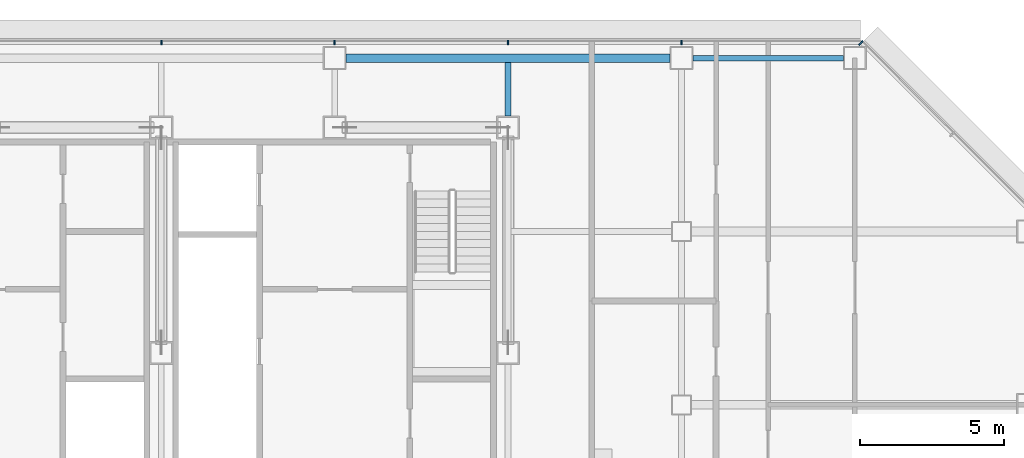
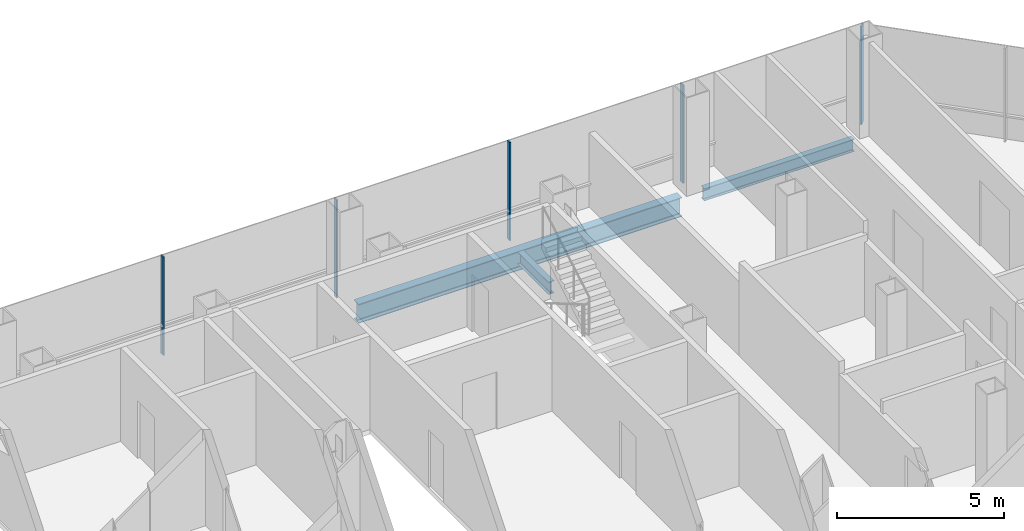
# One storey, part 14 of 25: 5 members, 3 beams, 2 elements without a shape of their own.
"""IFC4 building model written with IfcOpenShell, lengths in metres."""

from ifc_helpers import new_model, si_unit, direction, frame, origin, origin_2d, place, context, subcontext, project, spatial, rectangle, i_section, extrude, material, material_profile, profile_set, type_object, element, aggregate, save


model = new_model("IFC4")

# Units and contexts
model_context = context("Model", 3, precision=1e-05, world=origin(), true_north=direction((0.0, 1.0)))
body_context = subcontext(model_context, "Body", "Model", "MODEL_VIEW")
ifc_project = project(units=[si_unit("LENGTHUNIT", "METRE"), si_unit("AREAUNIT", "SQUARE_METRE"), si_unit("VOLUMEUNIT", "CUBIC_METRE"), si_unit("PLANEANGLEUNIT", "RADIAN"), si_unit("MASSUNIT", "GRAM", prefix="KILO")], contexts=[model_context])

# Site, building, storey
site_placement = place(None, origin())
site = spatial("IfcSite", under=ifc_project, at=site_placement, CompositionType="ELEMENT")
building_placement = place(site_placement, origin())
building = spatial("IfcBuilding", under=site, at=building_placement, Name="Sorahane Residences", CompositionType="ELEMENT")
storey_placement = place(building_placement, frame((0.0, 0.0, 123.199951171875)))
storey = spatial("IfcBuildingStorey", under=building, at=storey_placement, Name="L27", CompositionType="ELEMENT", Elevation=123.199951171875)

# Curtain wall, members
ifc_material_1 = material(Name="Dark low-e glass and black anodised aluminium", Category="aluminium")
curtain_wall_type_1 = type_object("IfcCurtainWallType", Name="Curtain wall CW-1 Typical unitised wall", PredefinedType="NOTDEFINED", material=ifc_material_1)
curtain_wall_1_placement = place(storey_placement, origin())
curtain_wall_1 = element("IfcCurtainWall", 1, at=curtain_wall_1_placement, inside=storey, type_object=curtain_wall_type_1, Name="CW-1 curtain wall L27 N1", PredefinedType="NOTDEFINED")
ifc_material_2 = material(Name="Black anodised aluminium", Category="aluminium")
ifc_material_profile_1 = material_profile(ifc_material_2, rectangle(XDim=0.159912109375, YDim=0.050048828125, at=origin_2d()), Name="Curtain wall mullion CW-1 black anodised aluminium 50x160")
ifc_profile_set_1 = profile_set([ifc_material_profile_1], Name="Black anodised aluminium")
member_type_1 = type_object("IfcMemberType", Name="Curtain wall mullion CW-1 black anodised aluminium 50x160", PredefinedType="MULLION", material=ifc_profile_set_1)
member_1_placement = place(storey_placement, frame((48.0, 48.5400390625, -0.179931640625), z_axis=(0.0, 0.0, 1.0), x_axis=(0.0, 1.0, 0.0)))
member_1 = element("IfcMember", 2, at=member_1_placement, type_object=member_type_1, Name="CW-1 mullion L27 N1.2", PredefinedType="MULLION", context=body_context, shape_type="SweptSolid", body=[
    extrude(rectangle(XDim=0.159912109375, YDim=0.050048828125, at=origin_2d()), origin(), (0.0, 0.0, 1.0), 3.60009765625),
])
member_2_placement = place(storey_placement, frame((42.0, 48.5400390625, -0.179931640625), z_axis=(0.0, 0.0, 1.0), x_axis=(0.0, 1.0, 0.0)))
member_2 = element("IfcMember", 3, at=member_2_placement, type_object=member_type_1, Name="CW-1 mullion L27 N1.3", PredefinedType="MULLION", context=body_context, shape_type="SweptSolid", body=[
    extrude(rectangle(XDim=0.159912109375, YDim=0.050048828125, at=origin_2d()), origin(), (0.0, 0.0, 1.0), 3.60009765625),
])
member_3_placement = place(storey_placement, frame((36.0, 48.5400390625, -0.179931640625), z_axis=(0.0, 0.0, 1.0), x_axis=(0.0, 1.0, 0.0)))
member_3 = element("IfcMember", 4, at=member_3_placement, type_object=member_type_1, Name="CW-1 mullion L27 N1.4", PredefinedType="MULLION", context=body_context, shape_type="SweptSolid", body=[
    extrude(rectangle(XDim=0.159912109375, YDim=0.050048828125, at=origin_2d()), origin(), (0.0, 0.0, 1.0), 3.60009765625),
])
member_4_placement = place(storey_placement, frame((30.0, 48.5400390625, -0.179931640625), z_axis=(0.0, 0.0, 1.0), x_axis=(0.0, 1.0, 0.0)))
member_4 = element("IfcMember", 5, at=member_4_placement, type_object=member_type_1, Name="CW-1 mullion L27 N1.5", PredefinedType="MULLION", context=body_context, shape_type="SweptSolid", body=[
    extrude(rectangle(XDim=0.159912109375, YDim=0.050048828125, at=origin_2d()), origin(), (0.0, 0.0, 1.0), 3.60009765625),
])
aggregate(curtain_wall_1, [member_1, member_2, member_3, member_4])

# Curtain wall, member
ifc_material_3 = material(Name="Dark low-e glass and black anodised aluminium", Category="aluminium")
curtain_wall_type_2 = type_object("IfcCurtainWallType", Name="Curtain wall CW-2 Chamfer unitised wall", PredefinedType="NOTDEFINED", material=ifc_material_3)
curtain_wall_2_placement = place(storey_placement, origin())
curtain_wall_2 = element("IfcCurtainWall", 6, at=curtain_wall_2_placement, inside=storey, type_object=curtain_wall_type_2, Name="CW-2 curtain wall L27 NE1", PredefinedType="NOTDEFINED")
ifc_material_4 = material(Name="Black anodised aluminium", Category="aluminium")
ifc_material_profile_2 = material_profile(ifc_material_4, rectangle(XDim=0.199951171875, YDim=0.050048828125, at=origin_2d()), Name="Curtain wall mullion CW-2 black anodised aluminium 50x200")
ifc_profile_set_2 = profile_set([ifc_material_profile_2], Name="Black anodised aluminium")
member_type_2 = type_object("IfcMemberType", Name="Curtain wall mullion CW-2 black anodised aluminium 50x200", PredefinedType="MULLION", material=ifc_profile_set_2)
member_5_placement = place(storey_placement, frame((54.209716796875, 48.525634765625, -0.179931640625), z_axis=(0.0, 0.0, 1.0), x_axis=(0.707106781187, 0.707106781187, 0.0)))
member_5 = element("IfcMember", 7, at=member_5_placement, type_object=member_type_2, Name="CW-2 mullion L27 NE1.3", PredefinedType="MULLION", context=body_context, shape_type="SweptSolid", body=[
    extrude(rectangle(XDim=0.199951171875, YDim=0.050048828125, at=origin_2d()), origin(), (0.0, 0.0, 1.0), 3.60009765625),
])
aggregate(curtain_wall_2, [member_5])

# Beams
ifc_material_5 = material(Name="Steel Q355B", Category="steel")
ifc_material_profile_3 = material_profile(ifc_material_5, i_section(OverallWidth=0.199951171875, OverallDepth=0.449951171875, WebThickness=0.009033203125, FlangeThickness=0.013916015625, FilletRadius=0.02001953125, at=origin_2d()), Name="HN 450x200x9x14")
ifc_profile_set_3 = profile_set([ifc_material_profile_3], Name="Steel Q355B")
beam_type_1 = type_object("IfcBeamType", Name="Steel floor beam HN 450x200x9x14 Q355B", PredefinedType="BEAM", material=ifc_profile_set_3)
beam_1_placement = place(storey_placement, frame((48.39990234375, 48.0, -0.405029296875), z_axis=(1.0, 0.0, 0.0), x_axis=(0.0, 1.0, 0.0)))
element("IfcBeam", 8, at=beam_1_placement, inside=storey, type_object=beam_type_1, Name="Beam L27 019", PredefinedType="BEAM", context=body_context, shape_type="SweptSolid", body=[
    extrude(i_section(OverallWidth=0.199951171875, OverallDepth=0.449951171875, WebThickness=0.009033203125, FlangeThickness=0.013916015625, FilletRadius=0.02001953125, at=origin_2d()), origin(), (0.0, 0.0, 1.0), 5.2001953125),
])
beam_2_placement = place(storey_placement, frame((42.0, 46.0, -0.405029296875), z_axis=(0.0, 1.0, 0.0), x_axis=(-1.0, 0.0, 0.0)))
element("IfcBeam", 9, at=beam_2_placement, inside=storey, type_object=beam_type_1, Name="Beam L27 057", PredefinedType="BEAM", context=body_context, shape_type="SweptSolid", body=[
    extrude(i_section(OverallWidth=0.199951171875, OverallDepth=0.449951171875, WebThickness=0.009033203125, FlangeThickness=0.013916015625, FilletRadius=0.02001953125, at=origin_2d()), origin(), (0.0, 0.0, 1.0), 1.85009765625),
])
ifc_material_6 = material(Name="Steel Q355B", Category="steel")
ifc_material_profile_4 = material_profile(ifc_material_6, i_section(OverallWidth=0.300048828125, OverallDepth=0.699951171875, WebThickness=0.012939453125, FlangeThickness=0.02392578125, FilletRadius=0.028076171875, at=origin_2d()), Name="HN 700x300x13x24")
ifc_profile_set_4 = profile_set([ifc_material_profile_4], Name="Steel Q355B")
beam_type_2 = type_object("IfcBeamType", Name="Steel floor beam HN 700x300x13x24 Q355B", PredefinedType="BEAM", material=ifc_profile_set_4)
beam_3_placement = place(storey_placement, frame((36.39990234375, 48.0, -0.530029296875), z_axis=(1.0, 0.0, 0.0), x_axis=(0.0, 1.0, 0.0)))
element("IfcBeam", 10, at=beam_3_placement, inside=storey, type_object=beam_type_2, Name="Beam L27 018", PredefinedType="BEAM", context=body_context, shape_type="SweptSolid", body=[
    extrude(i_section(OverallWidth=0.300048828125, OverallDepth=0.699951171875, WebThickness=0.012939453125, FlangeThickness=0.02392578125, FilletRadius=0.028076171875, at=origin_2d()), origin(), (0.0, 0.0, 1.0), 11.2001953125),
])

save(model, "model.ifc")
